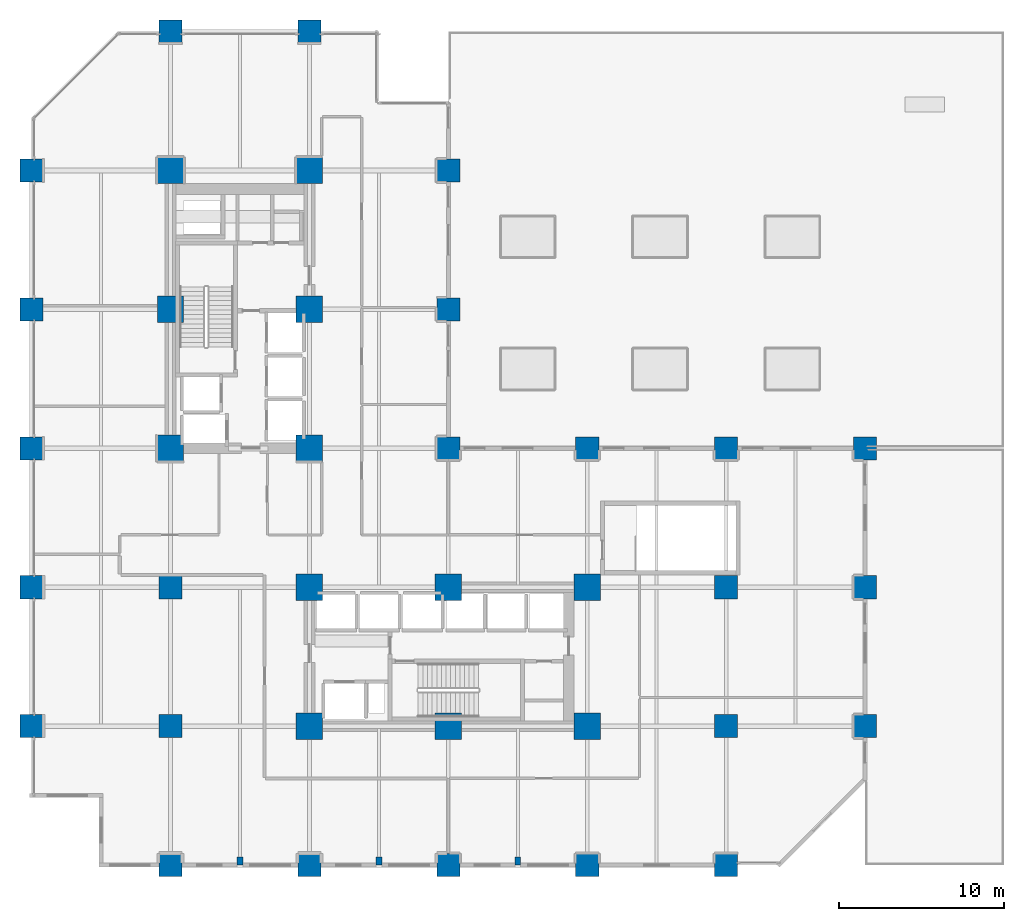
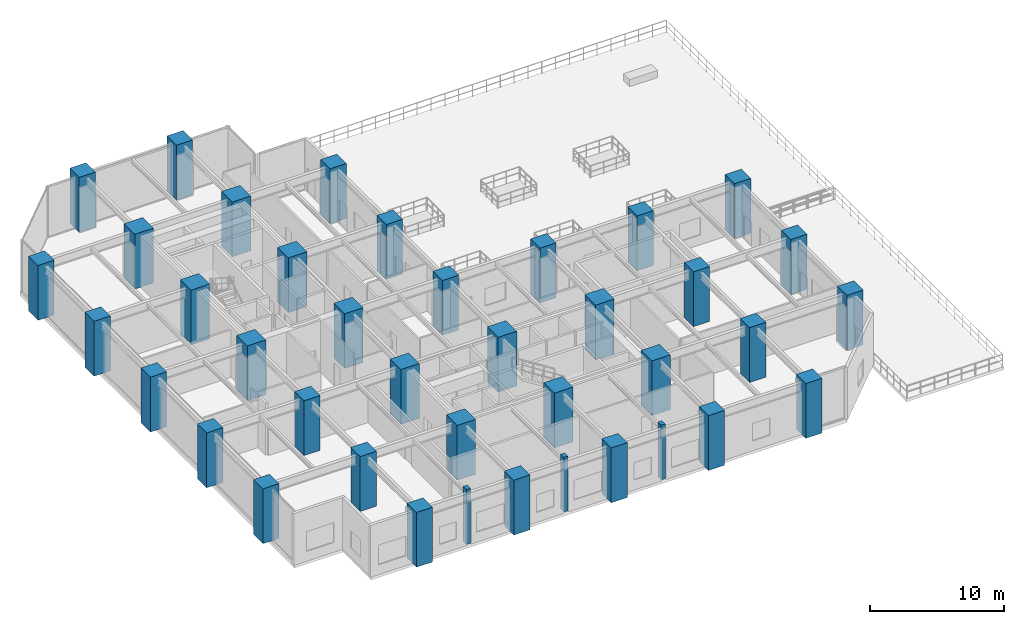
# One storey, part 1 of 21: 39 columns.
"""IFC4 building model written with IfcOpenShell, lengths in metres."""

import ifcopenshell
import ifcopenshell.guid

model = None  # the IFC model being written
_history = None  # IfcOwnerHistory: only IFC2X3 demands one
_inside = {}  # id of a spatial element -> (the spatial element, [elements in it])
_under = {}  # id of a project, library or spatial element -> (it, [spatial elements below it])
_declared = {}  # id of a project -> (the project, [libraries it declares])
_typed = {}  # id of a type object -> (the type object, [elements of that type])
_made_of = {}  # id of a material, layer set ... -> (it, [elements and type objects made of it])


def new_model(schema):
    """Start an empty IFC model of exactly this schema.

    Asked for "IFC4X3", IfcOpenShell would pick the latest addendum, in which some entities
    have other attributes; the version numbers below select the first issue.
    IFC2X3 requires an IfcOwnerHistory on every rooted entity: one is made here for all.
    """
    global model, _history
    if schema == "IFC4X3":
        model = ifcopenshell.file(schema_version=(4, 3, 0, 0))
    else:
        model = ifcopenshell.file(schema=schema)
    _inside.clear()
    _under.clear()
    _declared.clear()
    _typed.clear()
    _made_of.clear()
    _history = None
    if model.schema == "IFC2X3":
        org = make("IfcOrganization", Name="unknown")
        user = make(
            "IfcPersonAndOrganization",
            ThePerson=make("IfcPerson", FamilyName="unknown"),
            TheOrganization=org,
        )
        app = make(
            "IfcApplication",
            ApplicationDeveloper=org,
            Version="unknown",
            ApplicationFullName="unknown",
            ApplicationIdentifier="unknown",
        )
        _history = make(
            "IfcOwnerHistory",
            OwningUser=user,
            OwningApplication=app,
            ChangeAction="ADDED",
            CreationDate=0,
        )
    return model


def make(cls, **values):
    """One entity of the class cls with the attributes given. An attribute that is None is left unset."""
    return model.create_entity(
        cls, **{name: value for name, value in values.items() if value is not None}
    )


def rooted(cls, **values):
    """An entity with a GlobalId (a new one), such as an element, a storey or a relation."""
    return make(cls, GlobalId=ifcopenshell.guid.new(), OwnerHistory=_history, **values)


def si_unit(unit_type, name, prefix=None):
    """IfcSIUnit, for example si_unit("LENGTHUNIT", "METRE", prefix="MILLI")."""
    return make("IfcSIUnit", UnitType=unit_type, Prefix=prefix, Name=name)


def assignment(units):
    """IfcUnitAssignment: the units of a project."""
    return None if units is None else make("IfcUnitAssignment", Units=units)


def point(xyz):
    """IfcCartesianPoint."""
    return None if xyz is None else make("IfcCartesianPoint", Coordinates=xyz)


def direction(xyz):
    """IfcDirection."""
    return None if xyz is None else make("IfcDirection", DirectionRatios=xyz)


def frame(location, z_axis=None, x_axis=None):
    """IfcAxis2Placement3D, a coordinate frame: its origin and axes. An axis left out is left unset."""
    return make(
        "IfcAxis2Placement3D",
        Location=point(location),
        Axis=direction(z_axis),
        RefDirection=direction(x_axis),
    )


def frame_2d(location, x_axis=None):
    """IfcAxis2Placement2D, a coordinate frame in the plane: its origin and x axis."""
    return make(
        "IfcAxis2Placement2D", Location=point(location), RefDirection=direction(x_axis)
    )


def origin():
    """The frame at (0, 0, 0) with its axes left unset."""
    return frame((0.0, 0.0, 0.0))


def origin_2d():
    """The frame at (0, 0) in the plane with its x axis left unset."""
    return frame_2d((0.0, 0.0))


def place(relative_to, where):
    """IfcLocalPlacement: puts the frame where relative to a parent placement (None: the world)."""
    return make(
        "IfcLocalPlacement", PlacementRelTo=relative_to, RelativePlacement=where
    )


def context(
    kind, dimensions, precision=None, world=None, true_north=None, identifier=None
):
    """IfcGeometricRepresentationContext, for example the 3D "Model" context."""
    return make(
        "IfcGeometricRepresentationContext",
        ContextIdentifier=identifier,
        ContextType=kind,
        CoordinateSpaceDimension=dimensions,
        Precision=precision,
        WorldCoordinateSystem=world,
        TrueNorth=true_north,
    )


def subcontext(parent, identifier, kind, view, scale=None):
    """IfcGeometricRepresentationSubContext, for example "Body" below "Model"."""
    return make(
        "IfcGeometricRepresentationSubContext",
        ContextIdentifier=identifier,
        ContextType=kind,
        ParentContext=parent,
        TargetScale=scale,
        TargetView=view,
    )


def project(units=None, contexts=None):
    """IfcProject with its units and contexts."""
    return rooted(
        "IfcProject",
        Name="project",
        RepresentationContexts=contexts,
        UnitsInContext=assignment(units),
    )


def spatial(cls, under=None, at=None, **own):
    """A site, building, storey or space (cls), placed at a placement, below another one or the project."""
    s = rooted(cls, ObjectPlacement=at, **own)
    if under is not None:
        _under.setdefault(under.id(), (under, []))[1].append(s)
    return s


def profile(cls, at=None, kind="AREA", **sizes):
    """A parametric profile (cls). Its sizes go by their IFC names, for example OverallWidth=200.0."""
    return make(cls, ProfileType=kind, Position=at, **sizes)


def rectangle(**sizes):
    """IfcRectangleProfileDef."""
    return profile("IfcRectangleProfileDef", **sizes)


def extrude(swept, where, along, depth):
    """IfcExtrudedAreaSolid: the profile swept, set in the frame where, extruded along a direction by depth."""
    return make(
        "IfcExtrudedAreaSolid",
        SweptArea=swept,
        Position=where,
        ExtrudedDirection=direction(along),
        Depth=depth,
    )


def shape(context_of_items, identifier, shape_type, items):
    """IfcShapeRepresentation: the items that make up one representation, for example the "Body"."""
    return make(
        "IfcShapeRepresentation",
        ContextOfItems=context_of_items,
        RepresentationIdentifier=identifier,
        RepresentationType=shape_type,
        Items=items,
    )


def material(Name=None, Category=None):
    """IfcMaterial."""
    return make("IfcMaterial", Name=Name, Category=Category)


def material_profile(
    of_material, cross_section, Name=None, Category=None, Priority=None
):
    """IfcMaterialProfile: a cross section and its material."""
    return make(
        "IfcMaterialProfile",
        Name=Name,
        Material=of_material,
        Profile=cross_section,
        Priority=Priority,
        Category=Category,
    )


def profile_set(profiles, Name=None, composite=None):
    """IfcMaterialProfileSet."""
    return make(
        "IfcMaterialProfileSet",
        Name=Name,
        MaterialProfiles=profiles,
        CompositeProfile=composite,
    )


def made_of(thing, what):
    """Note that an element or type object is made of a material, layer set ...; save() writes the relation."""
    if what is not None:
        _made_of.setdefault(what.id(), (what, []))[1].append(thing)
    return thing


def type_object(cls, material=None, **own):
    """A type object (cls), such as IfcWallType, which elements share."""
    return made_of(rooted(cls, **own), material)


def element(
    cls,
    number,
    at=None,
    inside=None,
    cuts=None,
    type_object=None,
    material=None,
    context=None,
    identifier="Body",
    shape_type=None,
    held_by="IfcProductDefinitionShape",
    body=None,
    shapes=None,
    **own,
):
    """One element of the class cls, such as IfcWall. Its Tag is "e" and its number.

    at: its placement. inside: the storey or other place that contains it. cuts: it is an
    opening in that element (IfcRelVoidsElement). A single representation is given by context,
    identifier, shape_type and body (its items); several are given by shapes. held_by: the class
    of the entity that holds the representations. save() writes the other relations.
    """
    e = rooted(cls, Tag="e%d" % number, ObjectPlacement=at, **own)
    if body is not None:
        shapes = [shape(context, identifier, shape_type, body)]
    if shapes is not None:
        e.Representation = make(held_by, Representations=shapes)
    if inside is not None:
        _inside.setdefault(inside.id(), (inside, []))[1].append(e)
    if cuts is not None:
        rooted(
            "IfcRelVoidsElement", RelatingBuildingElement=cuts, RelatedOpeningElement=e
        )
    if type_object is not None:
        _typed.setdefault(type_object.id(), (type_object, []))[1].append(e)
    return made_of(e, material)


def aggregate(whole, parts):
    """IfcRelAggregates: a whole, such as a stair, and the parts it consists of."""
    return rooted("IfcRelAggregates", RelatingObject=whole, RelatedObjects=parts)


def save(model, path):
    """Write the relations noted so far, then the file.

    IfcRelAggregates (storeys below a building ...), IfcRelContainedInSpatialStructure (elements
    in a storey), IfcRelDefinesByType, IfcRelAssociatesMaterial and IfcRelDeclares: one each for
    every whole, place, type object, material and project.
    """
    for whole, parts in _under.values():
        aggregate(whole, parts)
    for where, things in _inside.values():
        rooted(
            "IfcRelContainedInSpatialStructure",
            RelatedElements=things,
            RelatingStructure=where,
        )
    for kind, things in _typed.values():
        rooted("IfcRelDefinesByType", RelatedObjects=things, RelatingType=kind)
    for what, things in _made_of.values():
        rooted("IfcRelAssociatesMaterial", RelatedObjects=things, RelatingMaterial=what)
    for by, libraries in _declared.values():
        rooted("IfcRelDeclares", RelatingContext=by, RelatedDefinitions=libraries)
    model.write(path)


model = new_model("IFC4")

# Units and contexts
model_context = context("Model", 3, precision=1e-05, world=origin(), true_north=direction((0.0, 1.0)))
body_context = subcontext(model_context, "Body", "Model", "MODEL_VIEW")
ifc_project = project(units=[si_unit("LENGTHUNIT", "METRE"), si_unit("AREAUNIT", "SQUARE_METRE"), si_unit("VOLUMEUNIT", "CUBIC_METRE"), si_unit("PLANEANGLEUNIT", "RADIAN"), si_unit("MASSUNIT", "GRAM", prefix="KILO")], contexts=[model_context])

# Site, building, storey
site_placement = place(None, origin())
site = spatial("IfcSite", under=ifc_project, at=site_placement, CompositionType="ELEMENT")
building_placement = place(site_placement, origin())
building = spatial("IfcBuilding", under=site, at=building_placement, Name="Nerrivon Quay Data Exchange", CompositionType="ELEMENT")
storey_placement = place(building_placement, frame((0.0, 0.0, 19.800048828125)))
storey = spatial("IfcBuildingStorey", under=building, at=storey_placement, Name="L04", CompositionType="ELEMENT", Elevation=19.800048828125)

# Columns
ifc_material_1 = material(Name="Concrete N80 (80 MPa)", Category="concrete")
ifc_material_profile_1 = material_profile(ifc_material_1, rectangle(XDim=1.60009765625, YDim=1.60009765625, at=origin_2d()), Name="RC-COL-1600x1600")
ifc_profile_set_1 = profile_set([ifc_material_profile_1], Name="Concrete N80 (80 MPa)")
column_type_1 = type_object("IfcColumnType", Name="COL-C1-1600", PredefinedType="COLUMN", material=ifc_profile_set_1)
for number, where, z_axis, x_axis, name in (
    (1, (8.39990234375, 25.199951171875, 0.0), (0.0, 0.0, 1.0), (1.0, 0.0, 0.0), "L04 Column (8.4,25.2)"),
    (2, (8.39990234375, 33.60009765625, 0.0), (0.0, 0.0, 1.0), (1.0, 0.0, 0.0), "L04 Column (8.4,33.6)"),
    (3, (8.39990234375, 42.0, 0.0), (0.0, 0.0, 1.0), (1.0, 0.0, 0.0), "L04 Column (8.4,42.0)"),
    (4, (16.800048828125, 8.39990234375, 0.0), (0.0, 0.0, 1.0), (1.0, 0.0, 0.0), "L04 Column (16.8,8.4)"),
    (5, (16.800048828125, 16.800048828125, 0.0), (0.0, 0.0, 1.0), (1.0, 0.0, 0.0), "L04 Column (16.8,16.8)"),
    (6, (16.800048828125, 25.199951171875, 0.0), (0.0, 0.0, 1.0), (1.0, 0.0, 0.0), "L04 Column (16.8,25.2)"),
    (7, (16.800048828125, 33.60009765625, 0.0), (0.0, 0.0, 1.0), (1.0, 0.0, 0.0), "L04 Column (16.8,33.6)"),
    (8, (16.800048828125, 42.0, 0.0), (0.0, 0.0, 1.0), (1.0, 0.0, 0.0), "L04 Column (16.8,42.0)"),
    (9, (25.199951171875, 8.39990234375, 0.0), (0.0, 0.0, 1.0), (1.0, 0.0, 0.0), "L04 Column (25.2,8.4)"),
    (10, (25.199951171875, 16.800048828125, 0.0), (0.0, 0.0, 1.0), (1.0, 0.0, 0.0), "L04 Column (25.2,16.8)"),
    (11, (33.60009765625, 8.39990234375, 0.0), (0.0, 0.0, 1.0), (1.0, 0.0, 0.0), "L04 Column (33.6,8.4)"),
    (12, (33.60009765625, 16.800048828125, 0.0), (0.0, 0.0, 1.0), (1.0, 0.0, 0.0), "L04 Column (33.6,16.8)"),
):
    element("IfcColumn", number, at=place(storey_placement, frame(where, z_axis=z_axis, x_axis=x_axis)), inside=storey, type_object=column_type_1, Name=name, PredefinedType="COLUMN", context=body_context, shape_type="SweptSolid", body=[
        extrude(rectangle(XDim=1.60009765625, YDim=1.60009765625, at=origin_2d()), origin(), (0.0, 0.0, 1.0), 5.0),
    ])
ifc_material_profile_2 = material_profile(ifc_material_1, rectangle(XDim=1.39990234375, YDim=1.39990234375, at=origin_2d()), Name="RC-COL-1400x1400")
ifc_profile_set_2 = profile_set([ifc_material_profile_2], Name="Concrete N80 (80 MPa)")
column_type_2 = type_object("IfcColumnType", Name="COL-C2-1400", PredefinedType="COLUMN", material=ifc_profile_set_2)
for number, where, z_axis, x_axis, name in (
    (13, (0.0, 8.39990234375, 0.0), (0.0, 0.0, 1.0), (1.0, 0.0, 0.0), "L04 Column (0.0,8.4)"),
    (14, (0.0, 16.800048828125, 0.0), (0.0, 0.0, 1.0), (1.0, 0.0, 0.0), "L04 Column (0.0,16.8)"),
    (15, (0.0, 25.199951171875, 0.0), (0.0, 0.0, 1.0), (1.0, 0.0, 0.0), "L04 Column (0.0,25.2)"),
    (16, (0.0, 33.60009765625, 0.0), (0.0, 0.0, 1.0), (1.0, 0.0, 0.0), "L04 Column (0.0,33.6)"),
    (17, (0.0, 42.0, 0.0), (0.0, 0.0, 1.0), (1.0, 0.0, 0.0), "L04 Column (0.0,42.0)"),
    (18, (8.39990234375, 0.0, 0.0), (0.0, 0.0, 1.0), (1.0, 0.0, 0.0), "L04 Column (8.4,0.0)"),
    (19, (8.39990234375, 8.39990234375, 0.0), (0.0, 0.0, 1.0), (1.0, 0.0, 0.0), "L04 Column (8.4,8.4)"),
    (20, (8.39990234375, 16.800048828125, 0.0), (0.0, 0.0, 1.0), (1.0, 0.0, 0.0), "L04 Column (8.4,16.8)"),
    (21, (8.39990234375, 50.39990234375, 0.0), (0.0, 0.0, 1.0), (1.0, 0.0, 0.0), "L04 Column (8.4,50.4)"),
    (22, (16.800048828125, 0.0, 0.0), (0.0, 0.0, 1.0), (1.0, 0.0, 0.0), "L04 Column (16.8,0.0)"),
    (23, (16.800048828125, 50.39990234375, 0.0), (0.0, 0.0, 1.0), (1.0, 0.0, 0.0), "L04 Column (16.8,50.4)"),
    (24, (25.199951171875, 0.0, 0.0), (0.0, 0.0, 1.0), (1.0, 0.0, 0.0), "L04 Column (25.2,0.0)"),
    (25, (25.199951171875, 25.199951171875, 0.0), (0.0, 0.0, 1.0), (1.0, 0.0, 0.0), "L04 Column (25.2,25.2)"),
    (26, (25.199951171875, 33.60009765625, 0.0), (0.0, 0.0, 1.0), (1.0, 0.0, 0.0), "L04 Column (25.2,33.6)"),
    (27, (25.199951171875, 42.0, 0.0), (0.0, 0.0, 1.0), (1.0, 0.0, 0.0), "L04 Column (25.2,42.0)"),
    (28, (33.60009765625, 0.0, 0.0), (0.0, 0.0, 1.0), (1.0, 0.0, 0.0), "L04 Column (33.6,0.0)"),
    (29, (33.60009765625, 25.199951171875, 0.0), (0.0, 0.0, 1.0), (1.0, 0.0, 0.0), "L04 Column (33.6,25.2)"),
    (30, (42.0, 0.0, 0.0), (0.0, 0.0, 1.0), (1.0, 0.0, 0.0), "L04 Column (42.0,0.0)"),
    (31, (42.0, 8.39990234375, 0.0), (0.0, 0.0, 1.0), (1.0, 0.0, 0.0), "L04 Column (42.0,8.4)"),
    (32, (42.0, 16.800048828125, 0.0), (0.0, 0.0, 1.0), (1.0, 0.0, 0.0), "L04 Column (42.0,16.8)"),
    (33, (42.0, 25.199951171875, 0.0), (0.0, 0.0, 1.0), (1.0, 0.0, 0.0), "L04 Column (42.0,25.2)"),
    (34, (50.39990234375, 8.39990234375, 0.0), (0.0, 0.0, 1.0), (1.0, 0.0, 0.0), "L04 Column (50.4,8.4)"),
    (35, (50.39990234375, 16.800048828125, 0.0), (0.0, 0.0, 1.0), (1.0, 0.0, 0.0), "L04 Column (50.4,16.8)"),
    (36, (50.39990234375, 25.199951171875, 0.0), (0.0, 0.0, 1.0), (1.0, 0.0, 0.0), "L04 Column (50.4,25.2)"),
):
    element("IfcColumn", number, at=place(storey_placement, frame(where, z_axis=z_axis, x_axis=x_axis)), inside=storey, type_object=column_type_2, Name=name, PredefinedType="COLUMN", context=body_context, shape_type="SweptSolid", body=[
        extrude(rectangle(XDim=1.39990234375, YDim=1.39990234375, at=origin_2d()), origin(), (0.0, 0.0, 1.0), 5.0),
    ])
ifc_material_2 = material(Name="Concrete N50 (50 MPa)", Category="concrete")
ifc_material_profile_3 = material_profile(ifc_material_2, rectangle(XDim=0.35009765625, YDim=0.5, at=origin_2d()), Name="RC-PIL-500x350")
ifc_profile_set_3 = profile_set([ifc_material_profile_3], Name="Concrete N50 (50 MPa)")
column_type_3 = type_object("IfcColumnType", Name="PIL-P2-500x350", PredefinedType="PILASTER", material=ifc_profile_set_3)
for number, where, z_axis, x_axis, name in (
    (37, (12.60009765625, 0.25, 0.0), (0.0, 0.0, 1.0), (1.0, 0.0, 0.0), "L04 Facade Pilaster (12.6)"),
    (38, (21.0, 0.25, 0.0), (0.0, 0.0, 1.0), (1.0, 0.0, 0.0), "L04 Facade Pilaster (21.0)"),
    (39, (29.39990234375, 0.25, 0.0), (0.0, 0.0, 1.0), (1.0, 0.0, 0.0), "L04 Facade Pilaster (29.4)"),
):
    element("IfcColumn", number, at=place(storey_placement, frame(where, z_axis=z_axis, x_axis=x_axis)), inside=storey, type_object=column_type_3, Name=name, PredefinedType="PILASTER", context=body_context, shape_type="SweptSolid", body=[
        extrude(rectangle(XDim=0.35009765625, YDim=0.5, at=origin_2d()), origin(), (0.0, 0.0, 1.0), 5.0),
    ])

save(model, "model.ifc")
